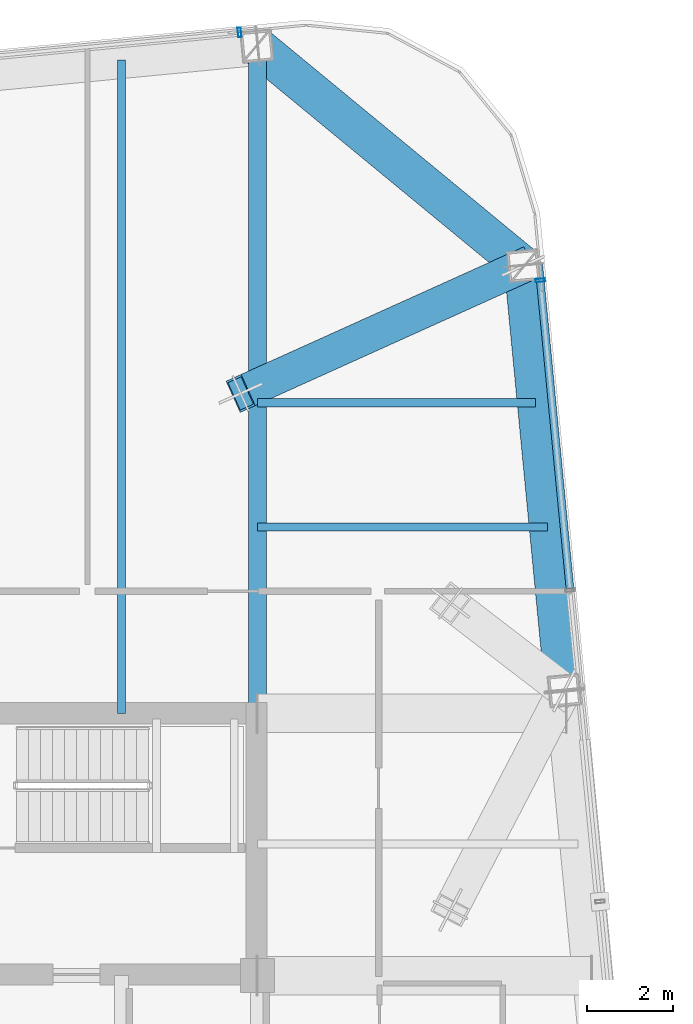
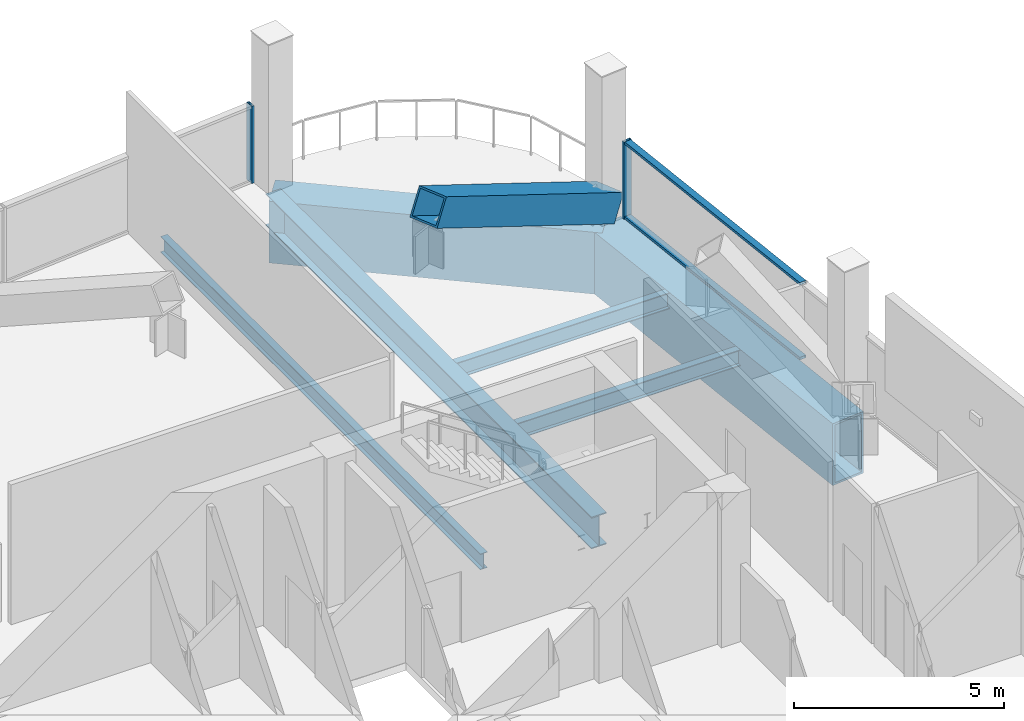
# One storey, part 14 of 22: 6 beams, 5 members, 2 elements without a shape of their own.
"""IFC4 building model written with IfcOpenShell, lengths in metres."""

import ifcopenshell
import ifcopenshell.guid

model = None  # the IFC model being written
_history = None  # IfcOwnerHistory: only IFC2X3 demands one
_inside = {}  # id of a spatial element -> (the spatial element, [elements in it])
_under = {}  # id of a project, library or spatial element -> (it, [spatial elements below it])
_declared = {}  # id of a project -> (the project, [libraries it declares])
_typed = {}  # id of a type object -> (the type object, [elements of that type])
_made_of = {}  # id of a material, layer set ... -> (it, [elements and type objects made of it])


def new_model(schema):
    """Start an empty IFC model of exactly this schema.

    Asked for "IFC4X3", IfcOpenShell would pick the latest addendum, in which some entities
    have other attributes; the version numbers below select the first issue.
    IFC2X3 requires an IfcOwnerHistory on every rooted entity: one is made here for all.
    """
    global model, _history
    if schema == "IFC4X3":
        model = ifcopenshell.file(schema_version=(4, 3, 0, 0))
    else:
        model = ifcopenshell.file(schema=schema)
    _inside.clear()
    _under.clear()
    _declared.clear()
    _typed.clear()
    _made_of.clear()
    _history = None
    if model.schema == "IFC2X3":
        org = make("IfcOrganization", Name="unknown")
        user = make(
            "IfcPersonAndOrganization",
            ThePerson=make("IfcPerson", FamilyName="unknown"),
            TheOrganization=org,
        )
        app = make(
            "IfcApplication",
            ApplicationDeveloper=org,
            Version="unknown",
            ApplicationFullName="unknown",
            ApplicationIdentifier="unknown",
        )
        _history = make(
            "IfcOwnerHistory",
            OwningUser=user,
            OwningApplication=app,
            ChangeAction="ADDED",
            CreationDate=0,
        )
    return model


def make(cls, **values):
    """One entity of the class cls with the attributes given. An attribute that is None is left unset."""
    return model.create_entity(
        cls, **{name: value for name, value in values.items() if value is not None}
    )


def rooted(cls, **values):
    """An entity with a GlobalId (a new one), such as an element, a storey or a relation."""
    return make(cls, GlobalId=ifcopenshell.guid.new(), OwnerHistory=_history, **values)


def si_unit(unit_type, name, prefix=None):
    """IfcSIUnit, for example si_unit("LENGTHUNIT", "METRE", prefix="MILLI")."""
    return make("IfcSIUnit", UnitType=unit_type, Prefix=prefix, Name=name)


def assignment(units):
    """IfcUnitAssignment: the units of a project."""
    return None if units is None else make("IfcUnitAssignment", Units=units)


def point(xyz):
    """IfcCartesianPoint."""
    return None if xyz is None else make("IfcCartesianPoint", Coordinates=xyz)


def direction(xyz):
    """IfcDirection."""
    return None if xyz is None else make("IfcDirection", DirectionRatios=xyz)


def frame(location, z_axis=None, x_axis=None):
    """IfcAxis2Placement3D, a coordinate frame: its origin and axes. An axis left out is left unset."""
    return make(
        "IfcAxis2Placement3D",
        Location=point(location),
        Axis=direction(z_axis),
        RefDirection=direction(x_axis),
    )


def frame_2d(location, x_axis=None):
    """IfcAxis2Placement2D, a coordinate frame in the plane: its origin and x axis."""
    return make(
        "IfcAxis2Placement2D", Location=point(location), RefDirection=direction(x_axis)
    )


def origin():
    """The frame at (0, 0, 0) with its axes left unset."""
    return frame((0.0, 0.0, 0.0))


def origin_2d():
    """The frame at (0, 0) in the plane with its x axis left unset."""
    return frame_2d((0.0, 0.0))


def place(relative_to, where):
    """IfcLocalPlacement: puts the frame where relative to a parent placement (None: the world)."""
    return make(
        "IfcLocalPlacement", PlacementRelTo=relative_to, RelativePlacement=where
    )


def context(
    kind, dimensions, precision=None, world=None, true_north=None, identifier=None
):
    """IfcGeometricRepresentationContext, for example the 3D "Model" context."""
    return make(
        "IfcGeometricRepresentationContext",
        ContextIdentifier=identifier,
        ContextType=kind,
        CoordinateSpaceDimension=dimensions,
        Precision=precision,
        WorldCoordinateSystem=world,
        TrueNorth=true_north,
    )


def subcontext(parent, identifier, kind, view, scale=None):
    """IfcGeometricRepresentationSubContext, for example "Body" below "Model"."""
    return make(
        "IfcGeometricRepresentationSubContext",
        ContextIdentifier=identifier,
        ContextType=kind,
        ParentContext=parent,
        TargetScale=scale,
        TargetView=view,
    )


def project(units=None, contexts=None):
    """IfcProject with its units and contexts."""
    return rooted(
        "IfcProject",
        Name="project",
        RepresentationContexts=contexts,
        UnitsInContext=assignment(units),
    )


def spatial(cls, under=None, at=None, **own):
    """A site, building, storey or space (cls), placed at a placement, below another one or the project."""
    s = rooted(cls, ObjectPlacement=at, **own)
    if under is not None:
        _under.setdefault(under.id(), (under, []))[1].append(s)
    return s


def profile(cls, at=None, kind="AREA", **sizes):
    """A parametric profile (cls). Its sizes go by their IFC names, for example OverallWidth=200.0."""
    return make(cls, ProfileType=kind, Position=at, **sizes)


def hollow_rectangle(**sizes):
    """IfcRectangleHollowProfileDef."""
    return profile("IfcRectangleHollowProfileDef", **sizes)


def i_section(**sizes):
    """IfcIShapeProfileDef."""
    return profile("IfcIShapeProfileDef", **sizes)


def extrude(swept, where, along, depth):
    """IfcExtrudedAreaSolid: the profile swept, set in the frame where, extruded along a direction by depth."""
    return make(
        "IfcExtrudedAreaSolid",
        SweptArea=swept,
        Position=where,
        ExtrudedDirection=direction(along),
        Depth=depth,
    )


def shape(context_of_items, identifier, shape_type, items):
    """IfcShapeRepresentation: the items that make up one representation, for example the "Body"."""
    return make(
        "IfcShapeRepresentation",
        ContextOfItems=context_of_items,
        RepresentationIdentifier=identifier,
        RepresentationType=shape_type,
        Items=items,
    )


def material(Name=None, Category=None):
    """IfcMaterial."""
    return make("IfcMaterial", Name=Name, Category=Category)


def layer(
    of_material, thickness, ventilated=None, Name=None, Category=None, Priority=None
):
    """IfcMaterialLayer: one layer of a wall or slab, of a material (None: an air gap)."""
    return make(
        "IfcMaterialLayer",
        Material=of_material,
        LayerThickness=thickness,
        IsVentilated=ventilated,
        Name=Name,
        Category=Category,
        Priority=Priority,
    )


def layer_set(layers, Name=None):
    """IfcMaterialLayerSet."""
    return make("IfcMaterialLayerSet", MaterialLayers=layers, LayerSetName=Name)


def material_profile(
    of_material, cross_section, Name=None, Category=None, Priority=None
):
    """IfcMaterialProfile: a cross section and its material."""
    return make(
        "IfcMaterialProfile",
        Name=Name,
        Material=of_material,
        Profile=cross_section,
        Priority=Priority,
        Category=Category,
    )


def profile_set(profiles, Name=None, composite=None):
    """IfcMaterialProfileSet."""
    return make(
        "IfcMaterialProfileSet",
        Name=Name,
        MaterialProfiles=profiles,
        CompositeProfile=composite,
    )


def made_of(thing, what):
    """Note that an element or type object is made of a material, layer set ...; save() writes the relation."""
    if what is not None:
        _made_of.setdefault(what.id(), (what, []))[1].append(thing)
    return thing


def type_object(cls, material=None, **own):
    """A type object (cls), such as IfcWallType, which elements share."""
    return made_of(rooted(cls, **own), material)


def element(
    cls,
    number,
    at=None,
    inside=None,
    cuts=None,
    type_object=None,
    material=None,
    context=None,
    identifier="Body",
    shape_type=None,
    held_by="IfcProductDefinitionShape",
    body=None,
    shapes=None,
    **own,
):
    """One element of the class cls, such as IfcWall. Its Tag is "e" and its number.

    at: its placement. inside: the storey or other place that contains it. cuts: it is an
    opening in that element (IfcRelVoidsElement). A single representation is given by context,
    identifier, shape_type and body (its items); several are given by shapes. held_by: the class
    of the entity that holds the representations. save() writes the other relations.
    """
    e = rooted(cls, Tag="e%d" % number, ObjectPlacement=at, **own)
    if body is not None:
        shapes = [shape(context, identifier, shape_type, body)]
    if shapes is not None:
        e.Representation = make(held_by, Representations=shapes)
    if inside is not None:
        _inside.setdefault(inside.id(), (inside, []))[1].append(e)
    if cuts is not None:
        rooted(
            "IfcRelVoidsElement", RelatingBuildingElement=cuts, RelatedOpeningElement=e
        )
    if type_object is not None:
        _typed.setdefault(type_object.id(), (type_object, []))[1].append(e)
    return made_of(e, material)


def aggregate(whole, parts):
    """IfcRelAggregates: a whole, such as a stair, and the parts it consists of."""
    return rooted("IfcRelAggregates", RelatingObject=whole, RelatedObjects=parts)


def save(model, path):
    """Write the relations noted so far, then the file.

    IfcRelAggregates (storeys below a building ...), IfcRelContainedInSpatialStructure (elements
    in a storey), IfcRelDefinesByType, IfcRelAssociatesMaterial and IfcRelDeclares: one each for
    every whole, place, type object, material and project.
    """
    for whole, parts in _under.values():
        aggregate(whole, parts)
    for where, things in _inside.values():
        rooted(
            "IfcRelContainedInSpatialStructure",
            RelatedElements=things,
            RelatingStructure=where,
        )
    for kind, things in _typed.values():
        rooted("IfcRelDefinesByType", RelatedObjects=things, RelatingType=kind)
    for what, things in _made_of.values():
        rooted("IfcRelAssociatesMaterial", RelatedObjects=things, RelatingMaterial=what)
    for by, libraries in _declared.values():
        rooted("IfcRelDeclares", RelatingContext=by, RelatedDefinitions=libraries)
    model.write(path)


model = new_model("IFC4")

# Units and contexts
model_context = context("Model", 3, precision=1e-05, world=origin(), true_north=direction((0.0, 1.0)))
body_context = subcontext(model_context, "Body", "Model", "MODEL_VIEW")
ifc_project = project(units=[si_unit("LENGTHUNIT", "METRE"), si_unit("AREAUNIT", "SQUARE_METRE"), si_unit("VOLUMEUNIT", "CUBIC_METRE"), si_unit("PLANEANGLEUNIT", "RADIAN"), si_unit("MASSUNIT", "GRAM", prefix="KILO")], contexts=[model_context])

# Site, building, storey
site_placement = place(None, origin())
site = spatial("IfcSite", under=ifc_project, at=site_placement, CompositionType="ELEMENT")
building_placement = place(site_placement, origin())
building = spatial("IfcBuilding", under=site, at=building_placement, Name="Qhalaya Broadcast Tower", CompositionType="ELEMENT")
storey_placement = place(building_placement, frame((0.0, 0.0, 183.60009765625)))
storey = spatial("IfcBuildingStorey", under=building, at=storey_placement, Name="L54", CompositionType="ELEMENT", Elevation=183.60009765625)

# Beams
ifc_material_1 = material(Name="Structural Steel ASTM A572 Grade 50", Category="steel")
ifc_material_profile_1 = material_profile(ifc_material_1, hollow_rectangle(XDim=0.89990234375, YDim=1.800048828125, WallThickness=0.06005859375, at=origin_2d()), Name="BOX 900x1800x60")
ifc_profile_set_1 = profile_set([ifc_material_profile_1], Name="Structural Steel ASTM A572 Grade 50")
beam_type_1 = type_object("IfcBeamType", Name="Block Cantilever Transfer Box Girder TG1", PredefinedType="USERDEFINED", material=ifc_profile_set_1)
beam_1_placement = place(storey_placement, frame((16.537353515625, 10.4794921875, -1.1201171875), z_axis=(-0.095850563819, 0.99539573508, 0.0), x_axis=(-0.99539573508, -0.095850563819, 0.0)))
element("IfcBeam", 1, at=beam_1_placement, inside=storey, type_object=beam_type_1, Name="L54 TG1 L54-SPR-07", ObjectType="GIRDER", PredefinedType="USERDEFINED", context=body_context, shape_type="SweptSolid", body=[
    extrude(hollow_rectangle(XDim=0.89990234375, YDim=1.800048828125, WallThickness=0.06005859375, at=origin_2d()), origin(), (0.0, 0.0, 1.0), 9.966796875),
])
beam_2_placement = place(storey_placement, frame((15.58203125, 20.400390625, -1.1201171875), z_axis=(-0.771618906354, 0.636085107008, 0.0), x_axis=(-0.636085107008, -0.771618906354, 0.0)))
element("IfcBeam", 2, at=beam_2_placement, inside=storey, type_object=beam_type_1, Name="L54 TG1 L54-SPR-08", ObjectType="GIRDER", PredefinedType="USERDEFINED", context=body_context, shape_type="SweptSolid", body=[
    extrude(hollow_rectangle(XDim=0.89990234375, YDim=1.800048828125, WallThickness=0.06005859375, at=origin_2d()), origin(), (0.0, 0.0, 1.0), 8.06103515625),
])
ifc_material_2 = material(Name="Structural Steel ASTM A992 Grade 50", Category="steel")
ifc_material_profile_2 = material_profile(ifc_material_2, i_section(OverallWidth=0.19189453125, OverallDepth=0.462890625, WebThickness=0.010498046875, FlangeThickness=0.017578125, at=origin_2d()), Name="W18X60")
ifc_profile_set_2 = profile_set([ifc_material_profile_2], Name="Structural Steel ASTM A992 Grade 50")
beam_type_2 = type_object("IfcBeamType", Name="Composite Floor Joist J03", PredefinedType="JOIST", material=ifc_profile_set_2)
beam_3_placement = place(storey_placement, frame((6.199951171875, 9.949951171875, -0.45166015625), z_axis=(0.0, 1.0, 0.0), x_axis=(-1.0, 0.0, 0.0)))
element("IfcBeam", 3, at=beam_3_placement, inside=storey, type_object=beam_type_2, Name="L54 J03 L54-JNN5-1", PredefinedType="JOIST", context=body_context, shape_type="SweptSolid", body=[
    extrude(i_section(OverallWidth=0.19189453125, OverallDepth=0.462890625, WebThickness=0.010498046875, FlangeThickness=0.017578125, at=origin_2d()), origin(), (0.0, 0.0, 1.0), 15.25341796875),
])
beam_4_placement = place(storey_placement, frame((9.375, 14.300048828125, -0.45166015625), z_axis=(1.0, 0.0, 0.0), x_axis=(0.0, 1.0, 0.0)))
element("IfcBeam", 4, at=beam_4_placement, inside=storey, type_object=beam_type_2, Name="L54 J03 L54-JWE6E-1", PredefinedType="JOIST", context=body_context, shape_type="SweptSolid", body=[
    extrude(i_section(OverallWidth=0.19189453125, OverallDepth=0.462890625, WebThickness=0.010498046875, FlangeThickness=0.017578125, at=origin_2d()), origin(), (0.0, 0.0, 1.0), 6.7744140625),
])
beam_5_placement = place(storey_placement, frame((9.375, 17.199951171875, -0.45166015625), z_axis=(1.0, 0.0, 0.0), x_axis=(0.0, 1.0, 0.0)))
element("IfcBeam", 5, at=beam_5_placement, inside=storey, type_object=beam_type_2, Name="L54 J03 L54-JWE7E-1", PredefinedType="JOIST", context=body_context, shape_type="SweptSolid", body=[
    extrude(i_section(OverallWidth=0.19189453125, OverallDepth=0.462890625, WebThickness=0.010498046875, FlangeThickness=0.017578125, at=origin_2d()), origin(), (0.0, 0.0, 1.0), 6.4951171875),
])
ifc_material_profile_3 = material_profile(ifc_material_2, i_section(OverallWidth=0.4189453125, OverallDepth=0.927001953125, WebThickness=0.019287109375, FlangeThickness=0.031982421875, at=origin_2d()), Name="W36X231")
ifc_profile_set_3 = profile_set([ifc_material_profile_3], Name="Structural Steel ASTM A992 Grade 50")
beam_type_3 = type_object("IfcBeamType", Name="Mid Block Primary Girder PG3", PredefinedType="USERDEFINED", material=ifc_profile_set_3)
beam_6_placement = place(storey_placement, frame((9.375, 9.949951171875, -0.68359375), z_axis=(0.0, 1.0, 0.0), x_axis=(-1.0, 0.0, 0.0)))
element("IfcBeam", 6, at=beam_6_placement, inside=storey, type_object=beam_type_3, Name="L54 PG3 L54-PGXN2-1", ObjectType="GIRDER", PredefinedType="USERDEFINED", context=body_context, shape_type="SweptSolid", body=[
    extrude(i_section(OverallWidth=0.4189453125, OverallDepth=0.927001953125, WebThickness=0.019287109375, FlangeThickness=0.031982421875, at=origin_2d()), origin(), (0.0, 0.0, 1.0), 15.541259765625),
])

# Curtain wall, member
ifc_material_3 = material(Name="Fired Architectural Terracotta", Category="masonry")
ifc_layer = layer(ifc_material_3, 0.219970703125, Name="Fired Architectural Terracotta")
ifc_layer_set = layer_set([ifc_layer], Name="Fired Architectural Terracotta")
curtain_wall_type = type_object("IfcCurtainWallType", Name="Block-Cap Unitised Terracotta Spandrel Wall CW-07", PredefinedType="NOTDEFINED", material=ifc_layer_set)
curtain_wall_1_placement = place(storey_placement, origin())
curtain_wall_1 = element("IfcCurtainWall", 7, at=curtain_wall_1_placement, inside=storey, type_object=curtain_wall_type, Name="L54 Unitised Curtain Wall L54-CW-E", PredefinedType="NOTDEFINED")
ifc_material_4 = material(Name="Anodised Aluminium 6063-T6", Category="aluminium")
ifc_material_profile_4 = material_profile(ifc_material_4, hollow_rectangle(XDim=0.074951171875, YDim=0.219970703125, WallThickness=0.00390625, at=origin_2d()), Name="ALU-MUL 75x220x4")
ifc_profile_set_4 = profile_set([ifc_material_profile_4], Name="Anodised Aluminium 6063-T6")
member_type_1 = type_object("IfcMemberType", Name="Unitised Curtain-Wall Mullion M01", PredefinedType="MULLION", material=ifc_profile_set_4)
member_1_placement = place(storey_placement, frame((15.976318359375, 20.06103515625, 0.0), z_axis=(0.0, 0.0, 1.0), x_axis=(0.095846069906, -0.995396167806, 0.0)))
member_1 = element("IfcMember", 8, at=member_1_placement, type_object=member_type_1, Name="CW-07 mullion 1", PredefinedType="MULLION", context=body_context, shape_type="SweptSolid", body=[
    extrude(hollow_rectangle(XDim=0.074951171875, YDim=0.219970703125, WallThickness=0.00390625, at=origin_2d()), origin(), (0.0, 0.0, 1.0), 2.25),
])

curtain_wall_2_placement = place(storey_placement, origin())
curtain_wall_2 = element("IfcCurtainWall", 9, at=curtain_wall_2_placement, inside=storey, type_object=curtain_wall_type, Name="L54 Unitised Curtain Wall L54-CW-N", PredefinedType="NOTDEFINED")
member_2_placement = place(storey_placement, frame((8.95361328125, 25.85009765625, 0.0), z_axis=(0.0, 0.0, 1.0), x_axis=(0.995396167806, 0.095846069906, 0.0)))
member_2 = element("IfcMember", 10, at=member_2_placement, type_object=member_type_1, Name="CW-07 mullion 5", PredefinedType="MULLION", context=body_context, shape_type="SweptSolid", body=[
    extrude(hollow_rectangle(XDim=0.074951171875, YDim=0.219970703125, WallThickness=0.00390625, at=origin_2d()), origin(), (0.0, 0.0, 1.0), 2.25),
])
aggregate(curtain_wall_2, [member_2])

# Member
ifc_material_profile_5 = material_profile(ifc_material_4, hollow_rectangle(XDim=0.074951171875, YDim=0.179931640625, WallThickness=0.00390625, at=origin_2d()), Name="ALU-TRN 75x180x4")
ifc_profile_set_5 = profile_set([ifc_material_profile_5], Name="Anodised Aluminium 6063-T6")
member_type_2 = type_object("IfcMemberType", Name="Unitised Curtain-Wall Transom T01", PredefinedType="USERDEFINED", material=ifc_profile_set_5)
member_3_placement = place(storey_placement, frame((15.97998046875, 20.023681640625, 0.037353515625), z_axis=(0.095843684629, -0.99539639748, 0.0), x_axis=(0.0, 0.0, 1.0)))
member_3 = element("IfcMember", 11, at=member_3_placement, type_object=member_type_2, Name="CW-07 transom 1.1", ObjectType="TRANSOM", PredefinedType="USERDEFINED", context=body_context, shape_type="SweptSolid", body=[
    extrude(hollow_rectangle(XDim=0.074951171875, YDim=0.179931640625, WallThickness=0.00390625, at=origin_2d()), origin(), (0.0, 0.0, 1.0), 7.193603515625),
])

member_4_placement = place(storey_placement, frame((15.97998046875, 20.023681640625, 2.21240234375), z_axis=(0.095843684629, -0.99539639748, 0.0), x_axis=(0.0, 0.0, 1.0)))
member_4 = element("IfcMember", 12, at=member_4_placement, type_object=member_type_2, Name="CW-07 transom 1.2", ObjectType="TRANSOM", PredefinedType="USERDEFINED", context=body_context, shape_type="SweptSolid", body=[
    extrude(hollow_rectangle(XDim=0.074951171875, YDim=0.179931640625, WallThickness=0.00390625, at=origin_2d()), origin(), (0.0, 0.0, 1.0), 7.193603515625),
])

aggregate(curtain_wall_1, [member_1, member_3, member_4])

ifc_material_profile_6 = material_profile(ifc_material_1, hollow_rectangle(XDim=0.800048828125, YDim=0.800048828125, WallThickness=0.050048828125, at=origin_2d()), Name="BOX 800x800x50")
ifc_profile_set_6 = profile_set([ifc_material_profile_6], Name="Structural Steel ASTM A572 Grade 50")
member_type_3 = type_object("IfcMemberType", Name="Upper Exoskeleton Transfer Strut RK2", PredefinedType="BRACE", material=ifc_profile_set_6)
member_5_placement = place(storey_placement, frame((15.58203125, 20.400390625, 0.3603515625), z_axis=(-0.798351245974, -0.360412395934, 0.482429469361), x_axis=(0.411460291482, -0.911427686947, 0.0)))
element("IfcMember", 13, at=member_5_placement, inside=storey, type_object=member_type_3, Name="L54 Inclined Exoskeleton Transfer Strut 09", PredefinedType="BRACE", context=body_context, shape_type="SweptSolid", body=[
    extrude(hollow_rectangle(XDim=0.800048828125, YDim=0.800048828125, WallThickness=0.050048828125, at=origin_2d()), origin(), (0.0, 0.0, 1.0), 8.26953125),
])

save(model, "model.ifc")
